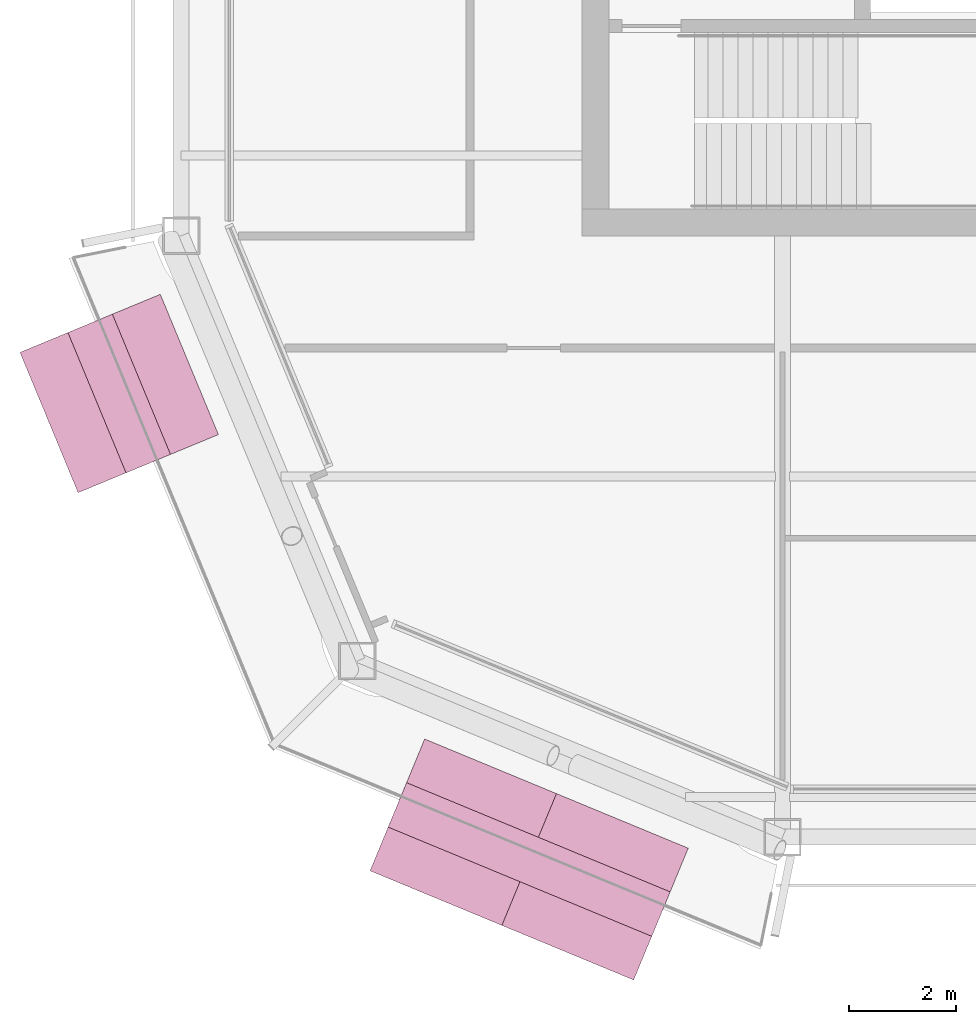
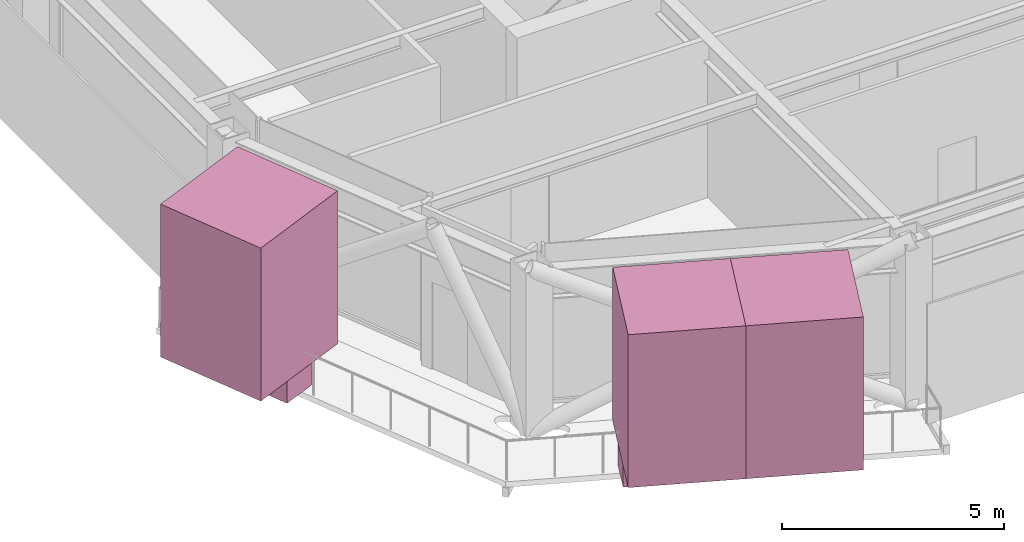
# One storey, part 21 of 21: 5 furnishings.
"""IFC4 building model written with IfcOpenShell, lengths in metres."""

from ifc_helpers import new_model, si_unit, direction, frame, origin, origin_2d, place, context, subcontext, project, spatial, rectangle, extrude, material, type_object, element, save


model = new_model("IFC4")

# Units and contexts
model_context = context("Model", 3, precision=1e-05, world=origin(), true_north=direction((0.0, 1.0)))
body_context = subcontext(model_context, "Body", "Model", "MODEL_VIEW")
ifc_project = project(units=[si_unit("LENGTHUNIT", "METRE"), si_unit("AREAUNIT", "SQUARE_METRE"), si_unit("VOLUMEUNIT", "CUBIC_METRE"), si_unit("PLANEANGLEUNIT", "RADIAN"), si_unit("MASSUNIT", "GRAM", prefix="KILO")], contexts=[model_context])

# Site, building, storey
site_placement = place(None, origin())
site = spatial("IfcSite", under=ifc_project, at=site_placement, CompositionType="ELEMENT")
building_placement = place(site_placement, origin())
building = spatial("IfcBuilding", under=site, at=building_placement, Name="Siwar Civic Tower", CompositionType="ELEMENT")
storey_placement = place(building_placement, frame((0.0, 0.0, 334.699951171875)))
storey = spatial("IfcBuildingStorey", under=building, at=storey_placement, Name="L72", CompositionType="ELEMENT", Elevation=334.699951171875)

# Furnishings
ifc_material_1 = material(Name="Planting soil and foliage")
furnishing_element_type_1 = type_object("IfcFurnishingElementType", Name="ENV-PLANTER", material=ifc_material_1)
furnishing_1_placement = place(storey_placement, frame((-25.909423828125, -16.449951171875, 0.0), z_axis=(0.0, 0.0, 1.0), x_axis=(0.382683432365, -0.923879532511, 0.0)))
element("IfcFurnishingElement", 1, at=furnishing_1_placement, inside=storey, type_object=furnishing_element_type_1, Name="PLANTER SW 1", context=body_context, shape_type="SweptSolid", body=[
    extrude(rectangle(XDim=2.84130859375, YDim=0.89990234375, at=origin_2d()), origin(), (0.0, 0.0, 1.0), 0.60009765625),
])
furnishing_2_placement = place(storey_placement, frame((-18.23974609375, -25.16796875, 0.0), z_axis=(0.0, 0.0, 1.0), x_axis=(0.923879532511, -0.382683432365, 0.0)))
element("IfcFurnishingElement", 2, at=furnishing_2_placement, inside=storey, type_object=furnishing_element_type_1, Name="PLANTER SW 2", context=body_context, shape_type="SweptSolid", body=[
    extrude(rectangle(XDim=5.33837890625, YDim=0.89990234375, at=origin_2d()), origin(), (0.0, 0.0, 1.0), 0.60009765625),
])
ifc_material_2 = material(Name="Planting soil and foliage")
furnishing_element_type_2 = type_object("IfcFurnishingElementType", Name="ENV-TREE", material=ifc_material_2)
furnishing_3_placement = place(storey_placement, frame((-25.909423828125, -16.449951171875, 0.60009765625), z_axis=(0.0, 0.0, 1.0), x_axis=(0.382683432365, -0.923879532511, 0.0)))
element("IfcFurnishingElement", 3, at=furnishing_3_placement, inside=storey, type_object=furnishing_element_type_2, Name="PLANTER (TREE) SW 1.1", context=body_context, shape_type="SweptSolid", body=[
    extrude(rectangle(XDim=2.84130859375, YDim=2.84130859375, at=origin_2d()), origin(), (0.0, 0.0, 1.0), 4.199951171875),
])
for number, where, z_axis, x_axis, name in (
    (4, (-19.472900390625, -24.6572265625, 0.60009765625), (0.0, 0.0, 1.0), (0.923879532511, -0.382683432365, 0.0), "PLANTER (TREE) SW 2.1"),
    (5, (-17.0068359375, -25.6787109375, 0.60009765625), (0.0, 0.0, 1.0), (0.923879532511, -0.382683432365, 0.0), "PLANTER (TREE) SW 2.2"),
):
    element("IfcFurnishingElement", number, at=place(storey_placement, frame(where, z_axis=z_axis, x_axis=x_axis)), inside=storey, type_object=furnishing_element_type_2, Name=name, context=body_context, shape_type="SweptSolid", body=[
        extrude(rectangle(XDim=2.669189453125, YDim=2.669189453125, at=origin_2d()), origin(), (0.0, 0.0, 1.0), 4.199951171875),
    ])

save(model, "model.ifc")
